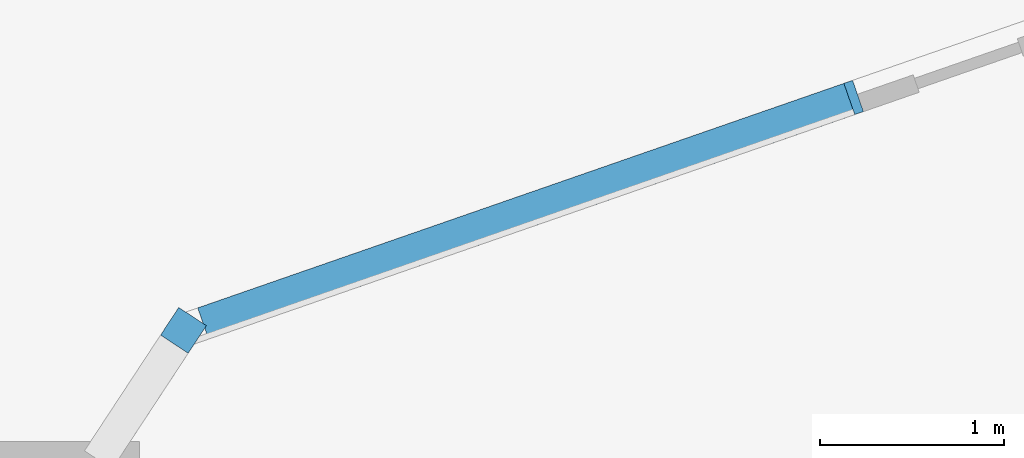
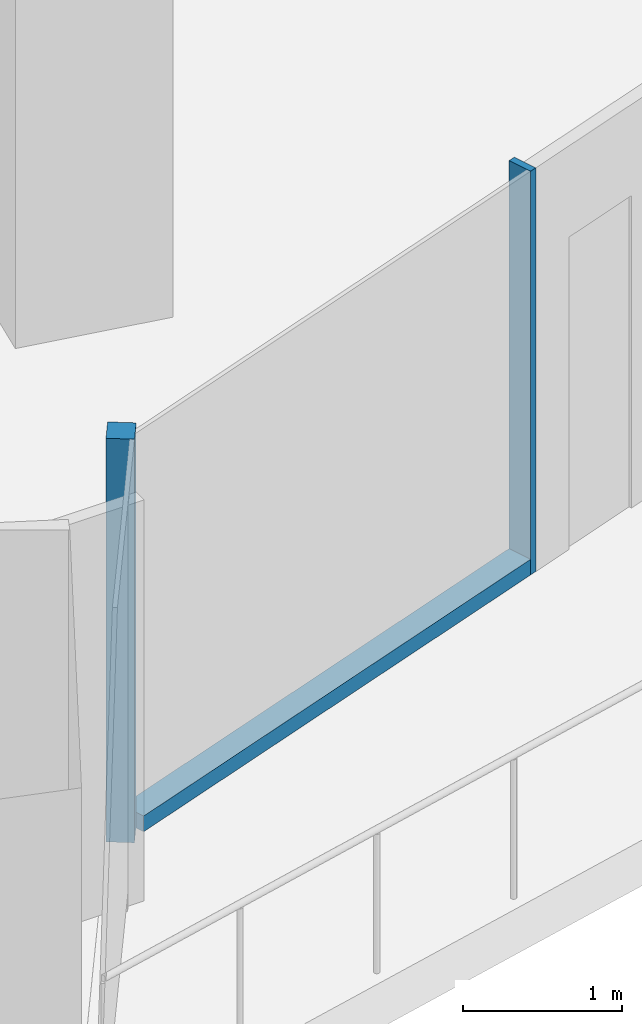
# One storey, part 5 of 26: 3 members, 2 elements without a shape of their own.
"""IFC4 building model written with IfcOpenShell, lengths in metres."""

import ifcopenshell
import ifcopenshell.guid

model = None  # the IFC model being written
_history = None  # IfcOwnerHistory: only IFC2X3 demands one
_inside = {}  # id of a spatial element -> (the spatial element, [elements in it])
_under = {}  # id of a project, library or spatial element -> (it, [spatial elements below it])
_declared = {}  # id of a project -> (the project, [libraries it declares])
_typed = {}  # id of a type object -> (the type object, [elements of that type])
_made_of = {}  # id of a material, layer set ... -> (it, [elements and type objects made of it])


def new_model(schema):
    """Start an empty IFC model of exactly this schema.

    Asked for "IFC4X3", IfcOpenShell would pick the latest addendum, in which some entities
    have other attributes; the version numbers below select the first issue.
    IFC2X3 requires an IfcOwnerHistory on every rooted entity: one is made here for all.
    """
    global model, _history
    if schema == "IFC4X3":
        model = ifcopenshell.file(schema_version=(4, 3, 0, 0))
    else:
        model = ifcopenshell.file(schema=schema)
    _inside.clear()
    _under.clear()
    _declared.clear()
    _typed.clear()
    _made_of.clear()
    _history = None
    if model.schema == "IFC2X3":
        org = make("IfcOrganization", Name="unknown")
        user = make(
            "IfcPersonAndOrganization",
            ThePerson=make("IfcPerson", FamilyName="unknown"),
            TheOrganization=org,
        )
        app = make(
            "IfcApplication",
            ApplicationDeveloper=org,
            Version="unknown",
            ApplicationFullName="unknown",
            ApplicationIdentifier="unknown",
        )
        _history = make(
            "IfcOwnerHistory",
            OwningUser=user,
            OwningApplication=app,
            ChangeAction="ADDED",
            CreationDate=0,
        )
    return model


def make(cls, **values):
    """One entity of the class cls with the attributes given. An attribute that is None is left unset."""
    return model.create_entity(
        cls, **{name: value for name, value in values.items() if value is not None}
    )


def rooted(cls, **values):
    """An entity with a GlobalId (a new one), such as an element, a storey or a relation."""
    return make(cls, GlobalId=ifcopenshell.guid.new(), OwnerHistory=_history, **values)


def si_unit(unit_type, name, prefix=None):
    """IfcSIUnit, for example si_unit("LENGTHUNIT", "METRE", prefix="MILLI")."""
    return make("IfcSIUnit", UnitType=unit_type, Prefix=prefix, Name=name)


def assignment(units):
    """IfcUnitAssignment: the units of a project."""
    return None if units is None else make("IfcUnitAssignment", Units=units)


def point(xyz):
    """IfcCartesianPoint."""
    return None if xyz is None else make("IfcCartesianPoint", Coordinates=xyz)


def direction(xyz):
    """IfcDirection."""
    return None if xyz is None else make("IfcDirection", DirectionRatios=xyz)


def frame(location, z_axis=None, x_axis=None):
    """IfcAxis2Placement3D, a coordinate frame: its origin and axes. An axis left out is left unset."""
    return make(
        "IfcAxis2Placement3D",
        Location=point(location),
        Axis=direction(z_axis),
        RefDirection=direction(x_axis),
    )


def frame_2d(location, x_axis=None):
    """IfcAxis2Placement2D, a coordinate frame in the plane: its origin and x axis."""
    return make(
        "IfcAxis2Placement2D", Location=point(location), RefDirection=direction(x_axis)
    )


def origin():
    """The frame at (0, 0, 0) with its axes left unset."""
    return frame((0.0, 0.0, 0.0))


def origin_2d():
    """The frame at (0, 0) in the plane with its x axis left unset."""
    return frame_2d((0.0, 0.0))


def place(relative_to, where):
    """IfcLocalPlacement: puts the frame where relative to a parent placement (None: the world)."""
    return make(
        "IfcLocalPlacement", PlacementRelTo=relative_to, RelativePlacement=where
    )


def context(
    kind, dimensions, precision=None, world=None, true_north=None, identifier=None
):
    """IfcGeometricRepresentationContext, for example the 3D "Model" context."""
    return make(
        "IfcGeometricRepresentationContext",
        ContextIdentifier=identifier,
        ContextType=kind,
        CoordinateSpaceDimension=dimensions,
        Precision=precision,
        WorldCoordinateSystem=world,
        TrueNorth=true_north,
    )


def subcontext(parent, identifier, kind, view, scale=None):
    """IfcGeometricRepresentationSubContext, for example "Body" below "Model"."""
    return make(
        "IfcGeometricRepresentationSubContext",
        ContextIdentifier=identifier,
        ContextType=kind,
        ParentContext=parent,
        TargetScale=scale,
        TargetView=view,
    )


def project(units=None, contexts=None):
    """IfcProject with its units and contexts."""
    return rooted(
        "IfcProject",
        Name="project",
        RepresentationContexts=contexts,
        UnitsInContext=assignment(units),
    )


def spatial(cls, under=None, at=None, **own):
    """A site, building, storey or space (cls), placed at a placement, below another one or the project."""
    s = rooted(cls, ObjectPlacement=at, **own)
    if under is not None:
        _under.setdefault(under.id(), (under, []))[1].append(s)
    return s


def profile(cls, at=None, kind="AREA", **sizes):
    """A parametric profile (cls). Its sizes go by their IFC names, for example OverallWidth=200.0."""
    return make(cls, ProfileType=kind, Position=at, **sizes)


def rectangle(**sizes):
    """IfcRectangleProfileDef."""
    return profile("IfcRectangleProfileDef", **sizes)


def extrude(swept, where, along, depth):
    """IfcExtrudedAreaSolid: the profile swept, set in the frame where, extruded along a direction by depth."""
    return make(
        "IfcExtrudedAreaSolid",
        SweptArea=swept,
        Position=where,
        ExtrudedDirection=direction(along),
        Depth=depth,
    )


def shape(context_of_items, identifier, shape_type, items):
    """IfcShapeRepresentation: the items that make up one representation, for example the "Body"."""
    return make(
        "IfcShapeRepresentation",
        ContextOfItems=context_of_items,
        RepresentationIdentifier=identifier,
        RepresentationType=shape_type,
        Items=items,
    )


def material(Name=None, Category=None):
    """IfcMaterial."""
    return make("IfcMaterial", Name=Name, Category=Category)


def material_profile(
    of_material, cross_section, Name=None, Category=None, Priority=None
):
    """IfcMaterialProfile: a cross section and its material."""
    return make(
        "IfcMaterialProfile",
        Name=Name,
        Material=of_material,
        Profile=cross_section,
        Priority=Priority,
        Category=Category,
    )


def profile_set(profiles, Name=None, composite=None):
    """IfcMaterialProfileSet."""
    return make(
        "IfcMaterialProfileSet",
        Name=Name,
        MaterialProfiles=profiles,
        CompositeProfile=composite,
    )


def made_of(thing, what):
    """Note that an element or type object is made of a material, layer set ...; save() writes the relation."""
    if what is not None:
        _made_of.setdefault(what.id(), (what, []))[1].append(thing)
    return thing


def type_object(cls, material=None, **own):
    """A type object (cls), such as IfcWallType, which elements share."""
    return made_of(rooted(cls, **own), material)


def element(
    cls,
    number,
    at=None,
    inside=None,
    cuts=None,
    type_object=None,
    material=None,
    context=None,
    identifier="Body",
    shape_type=None,
    held_by="IfcProductDefinitionShape",
    body=None,
    shapes=None,
    **own,
):
    """One element of the class cls, such as IfcWall. Its Tag is "e" and its number.

    at: its placement. inside: the storey or other place that contains it. cuts: it is an
    opening in that element (IfcRelVoidsElement). A single representation is given by context,
    identifier, shape_type and body (its items); several are given by shapes. held_by: the class
    of the entity that holds the representations. save() writes the other relations.
    """
    e = rooted(cls, Tag="e%d" % number, ObjectPlacement=at, **own)
    if body is not None:
        shapes = [shape(context, identifier, shape_type, body)]
    if shapes is not None:
        e.Representation = make(held_by, Representations=shapes)
    if inside is not None:
        _inside.setdefault(inside.id(), (inside, []))[1].append(e)
    if cuts is not None:
        rooted(
            "IfcRelVoidsElement", RelatingBuildingElement=cuts, RelatedOpeningElement=e
        )
    if type_object is not None:
        _typed.setdefault(type_object.id(), (type_object, []))[1].append(e)
    return made_of(e, material)


def aggregate(whole, parts):
    """IfcRelAggregates: a whole, such as a stair, and the parts it consists of."""
    return rooted("IfcRelAggregates", RelatingObject=whole, RelatedObjects=parts)


def save(model, path):
    """Write the relations noted so far, then the file.

    IfcRelAggregates (storeys below a building ...), IfcRelContainedInSpatialStructure (elements
    in a storey), IfcRelDefinesByType, IfcRelAssociatesMaterial and IfcRelDeclares: one each for
    every whole, place, type object, material and project.
    """
    for whole, parts in _under.values():
        aggregate(whole, parts)
    for where, things in _inside.values():
        rooted(
            "IfcRelContainedInSpatialStructure",
            RelatedElements=things,
            RelatingStructure=where,
        )
    for kind, things in _typed.values():
        rooted("IfcRelDefinesByType", RelatedObjects=things, RelatingType=kind)
    for what, things in _made_of.values():
        rooted("IfcRelAssociatesMaterial", RelatedObjects=things, RelatingMaterial=what)
    for by, libraries in _declared.values():
        rooted("IfcRelDeclares", RelatingContext=by, RelatedDefinitions=libraries)
    model.write(path)


model = new_model("IFC4")

# Units and contexts
model_context = context("Model", 3, precision=1e-05, world=origin(), true_north=direction((0.0, 1.0)))
body_context = subcontext(model_context, "Body", "Model", "MODEL_VIEW")
ifc_project = project(units=[si_unit("LENGTHUNIT", "METRE"), si_unit("AREAUNIT", "SQUARE_METRE"), si_unit("VOLUMEUNIT", "CUBIC_METRE"), si_unit("PLANEANGLEUNIT", "RADIAN"), si_unit("MASSUNIT", "GRAM", prefix="KILO")], contexts=[model_context])

# Site, building, storey
site_placement = place(None, origin())
site = spatial("IfcSite", under=ifc_project, at=site_placement, CompositionType="ELEMENT")
building_placement = place(site_placement, origin())
building = spatial("IfcBuilding", under=site, at=building_placement, Name="Orlundy Tower", CompositionType="ELEMENT")
storey_placement = place(building_placement, frame((0.0, 0.0, 232.0)))
storey = spatial("IfcBuildingStorey", under=building, at=storey_placement, Name="L61", CompositionType="ELEMENT", Elevation=232.0)

# Curtain wall, member
ifc_material_1 = material(Name="Aluminium bronze anodised", Category="aluminium")
curtain_wall_type = type_object("IfcCurtainWallType", Name="CW1 wall", PredefinedType="NOTDEFINED", material=ifc_material_1)
curtain_wall_1_placement = place(storey_placement, origin())
curtain_wall_1 = element("IfcCurtainWall", 1, at=curtain_wall_1_placement, inside=storey, type_object=curtain_wall_type, Name="CW1 run 01", PredefinedType="NOTDEFINED")
ifc_material_2 = material(Name="Aluminium bronze anodised", Category="aluminium")
ifc_material_profile_1 = material_profile(ifc_material_2, rectangle(XDim=0.179931640625, YDim=0.179931640625, at=origin_2d()), Name="CW1 corner post 180x180")
ifc_profile_set_1 = profile_set([ifc_material_profile_1], Name="Aluminium bronze anodised")
member_type_1 = type_object("IfcMemberType", Name="CW1 corner post 180x180", PredefinedType="MULLION", material=ifc_profile_set_1)
member_1_placement = place(storey_placement, frame((28.553466796875, -11.343994140625, 0.0), z_axis=(0.0, 0.0, 1.0), x_axis=(0.835496427827, -0.549495877226, 0.0)))
member_1 = element("IfcMember", 2, at=member_1_placement, type_object=member_type_1, Name="CW1 mullion 3", PredefinedType="MULLION", context=body_context, shape_type="SweptSolid", body=[
    extrude(rectangle(XDim=0.179931640625, YDim=0.179931640625, at=origin_2d()), origin(), (0.0, 0.0, 1.0), 3.10009765625),
])
aggregate(curtain_wall_1, [member_1])

# Curtain wall, members
curtain_wall_2_placement = place(storey_placement, origin())
curtain_wall_2 = element("IfcCurtainWall", 3, at=curtain_wall_2_placement, inside=storey, type_object=curtain_wall_type, Name="CW1 run 00", PredefinedType="NOTDEFINED")
ifc_material_3 = material(Name="Aluminium bronze anodised", Category="aluminium")
ifc_material_profile_2 = material_profile(ifc_material_3, rectangle(XDim=0.179931640625, YDim=0.050048828125, at=origin_2d()), Name="CW1 mullion 50x180")
ifc_profile_set_2 = profile_set([ifc_material_profile_2], Name="Aluminium bronze anodised")
member_type_2 = type_object("IfcMemberType", Name="CW1 mullion 50x180", PredefinedType="MULLION", material=ifc_profile_set_2)
member_2_placement = place(storey_placement, frame((32.200927734375, -10.076416015625, 0.0), z_axis=(0.0, 0.0, 1.0), x_axis=(0.328226635601, -0.944599002584, 0.0)))
member_2 = element("IfcMember", 4, at=member_2_placement, type_object=member_type_2, Name="CW1 mullion 2", PredefinedType="MULLION", context=body_context, shape_type="SweptSolid", body=[
    extrude(rectangle(XDim=0.179931640625, YDim=0.050048828125, at=origin_2d()), origin(), (0.0, 0.0, 1.0), 3.10009765625),
])
ifc_material_4 = material(Name="Aluminium bronze anodised", Category="aluminium")
ifc_material_profile_3 = material_profile(ifc_material_4, rectangle(XDim=0.179931640625, YDim=0.1201171875, at=origin_2d()), Name="CW1 transom 180x120")
ifc_profile_set_3 = profile_set([ifc_material_profile_3], Name="Aluminium bronze anodised")
member_type_3 = type_object("IfcMemberType", Name="CW1 transom 180x120", PredefinedType="USERDEFINED", material=ifc_profile_set_3)
member_3_placement = place(storey_placement, frame((32.177490234375, -10.084716796875, 0.06005859375), z_axis=(-0.944607324922, -0.328202683876, 0.0), x_axis=(0.328202683876, -0.944607324922, 0.0)))
member_3 = element("IfcMember", 5, at=member_3_placement, type_object=member_type_3, Name="CW1 transom", ObjectType="TRANSOM", PredefinedType="USERDEFINED", context=body_context, shape_type="SweptSolid", body=[
    extrude(rectangle(XDim=0.179931640625, YDim=0.1201171875, at=origin_2d()), origin(), (0.0, 0.0, 1.0), 3.72314453125),
])
aggregate(curtain_wall_2, [member_2, member_3])

save(model, "model.ifc")
